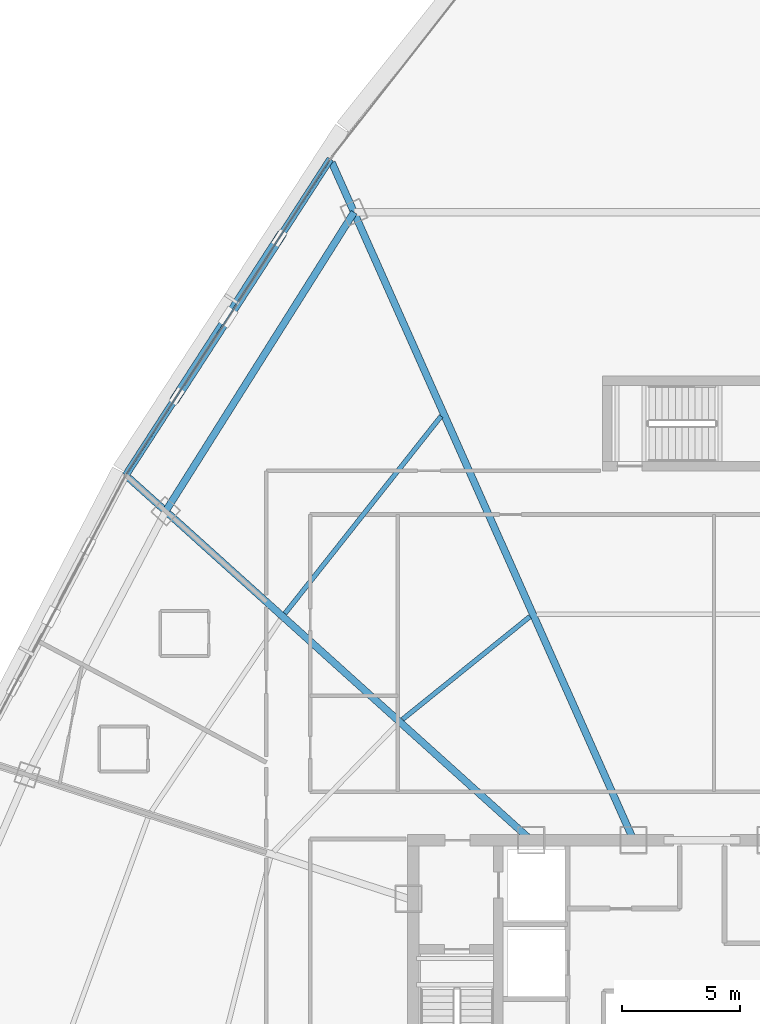
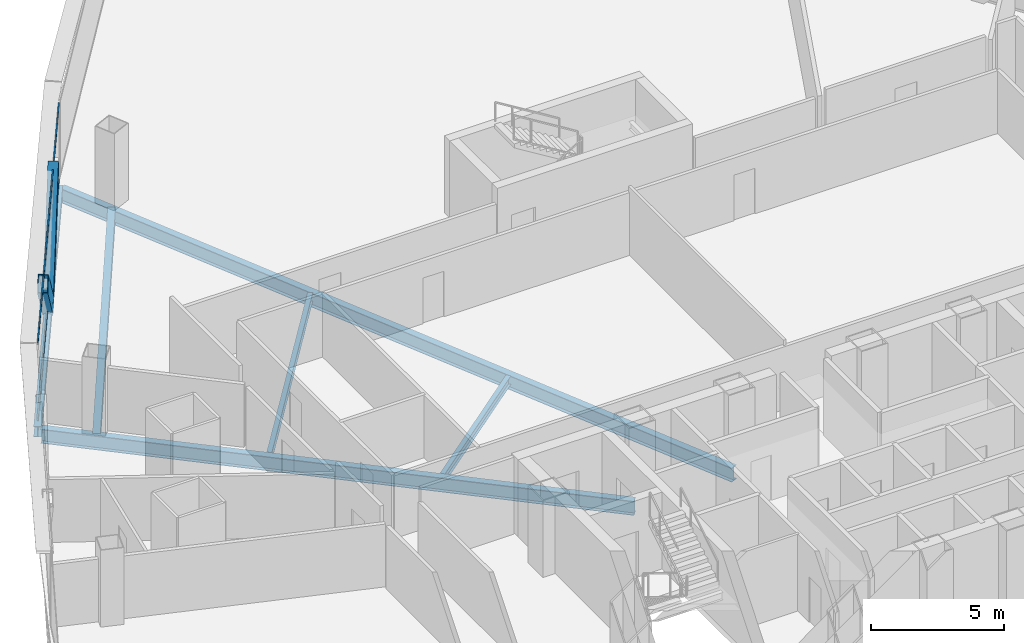
# One storey, part 17 of 40: 6 beams, 4 members, 1 element without a shape of its own.
"""IFC4 building model written with IfcOpenShell, lengths in metres."""

from ifc_helpers import new_model, si_unit, direction, frame, origin, origin_2d, place, context, subcontext, project, spatial, hollow_rectangle, i_section, extrude, source, transform, mapped, material, layer, layer_set, material_profile, profile_set, type_object, element, aggregate, save


model = new_model("IFC4")

# Units and contexts
model_context = context("Model", 3, precision=1e-05, world=origin(), true_north=direction((0.0, 1.0)))
body_context = subcontext(model_context, "Body", "Model", "MODEL_VIEW")
ifc_project = project(units=[si_unit("LENGTHUNIT", "METRE"), si_unit("AREAUNIT", "SQUARE_METRE"), si_unit("VOLUMEUNIT", "CUBIC_METRE"), si_unit("PLANEANGLEUNIT", "RADIAN"), si_unit("MASSUNIT", "GRAM", prefix="KILO"), si_unit("THERMODYNAMICTEMPERATUREUNIT", "KELVIN"), si_unit("POWERUNIT", "WATT")], contexts=[model_context])

# Site, building, storey
site_placement = place(None, origin())
site = spatial("IfcSite", under=ifc_project, at=site_placement, CompositionType="ELEMENT")
building_placement = place(site_placement, origin())
building = spatial("IfcBuilding", under=site, at=building_placement, Name="Yunzhuo Pagoda Commons", CompositionType="ELEMENT")
storey_placement = place(building_placement, frame((0.0, 0.0, 184.760009765625)))
storey = spatial("IfcBuildingStorey", under=building, at=storey_placement, Name="L46", CompositionType="ELEMENT", Elevation=184.760009765625)

# Beams
ifc_material_1 = material(Name="Structural steel Q355B", Category="steel")
ifc_material_profile_1 = material_profile(ifc_material_1, i_section(OverallWidth=0.300048828125, OverallDepth=0.488037109375, WebThickness=0.010986328125, FlangeThickness=0.01806640625, at=origin_2d()), Name="Structural steel Q355B")
ifc_profile_set_1 = profile_set([ifc_material_profile_1], Name="Structural steel Q355B")
beam_type_1 = type_object("IfcBeamType", Name="B-SP1 Beam HM 488x300x11x18", PredefinedType="BEAM", material=ifc_profile_set_1)
shared_shape_1 = source(origin(), body_context, "Body", "SweptSolid", [
    extrude(i_section(OverallWidth=0.300048828125, OverallDepth=0.488037109375, WebThickness=0.010986328125, FlangeThickness=0.01806640625, at=origin_2d()), origin(), (0.0, 0.0, 1.0), 15.899169921875),
])
beam_1_placement = place(storey_placement, frame((32.300537109375, 68.961181640625, -0.503662109375), z_axis=(-0.543169779139, -0.8396228862, 0.0), x_axis=(0.8396228862, -0.543169779139, 0.0)))
element("IfcBeam", 1, at=beam_1_placement, inside=storey, type_object=beam_type_1, Name="L46 facade edge spandrel beam F3.1", PredefinedType="BEAM", context=body_context, shape_type="MappedRepresentation", body=[
    mapped(shared_shape_1, transform((0.0, 0.0, 0.0), scale=1.0)),
])
ifc_material_profile_2 = material_profile(ifc_material_1, i_section(OverallWidth=0.300048828125, OverallDepth=0.64990234375, WebThickness=0.012939453125, FlangeThickness=0.02197265625, at=origin_2d()), Name="Structural steel Q355B")
ifc_profile_set_2 = profile_set([ifc_material_profile_2], Name="Structural steel Q355B")
beam_type_2 = type_object("IfcBeamType", Name="B-RG2 Beam HN 650x300x13x22", PredefinedType="BEAM", material=ifc_profile_set_2)
shared_shape_2 = source(origin(), body_context, "Body", "SweptSolid", [
    extrude(i_section(OverallWidth=0.300048828125, OverallDepth=0.64990234375, WebThickness=0.012939453125, FlangeThickness=0.02197265625, at=origin_2d()), origin(), (0.0, 0.0, 1.0), 14.916015625),
])
beam_2_placement = place(storey_placement, frame((33.301025390625, 66.714599609375, -0.5849609375), z_axis=(-0.533092374013, -0.846057043449, 0.0), x_axis=(0.846057043449, -0.533092374013, 0.0)))
element("IfcBeam", 2, at=beam_2_placement, inside=storey, type_object=beam_type_2, Name="L46 column-ring beam 9", PredefinedType="BEAM", context=body_context, shape_type="MappedRepresentation", body=[
    mapped(shared_shape_2, transform((0.0, 0.0, 0.0), scale=1.0)),
])
shared_shape_3 = source(origin(), body_context, "Body", "SweptSolid", [
    extrude(i_section(OverallWidth=0.300048828125, OverallDepth=0.64990234375, WebThickness=0.012939453125, FlangeThickness=0.02197265625, at=origin_2d()), origin(), (0.0, 0.0, 1.0), 22.87744140625),
])
beam_3_placement = place(storey_placement, frame((23.77978515625, 55.508056640625, -0.5849609375), z_axis=(0.743141834846, -0.669133927776, 0.0), x_axis=(0.669133927776, 0.743141834846, 0.0)))
element("IfcBeam", 3, at=beam_3_placement, inside=storey, type_object=beam_type_2, Name="L46 radial floor girder F3C2", PredefinedType="BEAM", context=body_context, shape_type="MappedRepresentation", body=[
    mapped(shared_shape_3, transform((0.0, 0.0, 0.0), scale=1.0)),
])
shared_shape_4 = source(origin(), body_context, "Body", "SweptSolid", [
    extrude(i_section(OverallWidth=0.300048828125, OverallDepth=0.64990234375, WebThickness=0.012939453125, FlangeThickness=0.02197265625, at=origin_2d()), origin(), (0.0, 0.0, 1.0), 31.327880859375),
])
beam_4_placement = place(storey_placement, frame((32.364013671875, 68.819580078125, -0.5849609375), z_axis=(0.406727681678, -0.913549447461, 0.0), x_axis=(0.913549447461, 0.406727681678, 0.0)))
element("IfcBeam", 4, at=beam_4_placement, inside=storey, type_object=beam_type_2, Name="L46 radial floor girder F3C1", PredefinedType="BEAM", context=body_context, shape_type="MappedRepresentation", body=[
    mapped(shared_shape_4, transform((0.0, 0.0, 0.0), scale=1.0)),
])
ifc_material_profile_3 = material_profile(ifc_material_1, i_section(OverallWidth=0.199951171875, OverallDepth=0.39990234375, WebThickness=0.008056640625, FlangeThickness=0.012939453125, at=origin_2d()), Name="Structural steel Q355B")
ifc_profile_set_3 = profile_set([ifc_material_profile_3], Name="Structural steel Q355B")
beam_type_3 = type_object("IfcBeamType", Name="B-JS1 Joist HN 400x200x8x13", PredefinedType="JOIST", material=ifc_profile_set_3)
shared_shape_5 = source(origin(), body_context, "Body", "SweptSolid", [
    extrude(i_section(OverallWidth=0.199951171875, OverallDepth=0.39990234375, WebThickness=0.008056640625, FlangeThickness=0.012939453125, at=origin_2d()), origin(), (0.0, 0.0, 1.0), 6.916748046875),
])
beam_5_placement = place(storey_placement, frame((40.732421875, 49.645263671875, -0.4599609375), z_axis=(-0.778265575865, -0.627935262127, 0.0), x_axis=(0.627935262127, -0.778265575865, 0.0)))
element("IfcBeam", 5, at=beam_5_placement, inside=storey, type_object=beam_type_3, Name="L46 composite ring joist 1.9", PredefinedType="JOIST", context=body_context, shape_type="MappedRepresentation", body=[
    mapped(shared_shape_5, transform((0.0, 0.0, 0.0), scale=1.0)),
])
shared_shape_6 = source(origin(), body_context, "Body", "SweptSolid", [
    extrude(i_section(OverallWidth=0.199951171875, OverallDepth=0.39990234375, WebThickness=0.008056640625, FlangeThickness=0.012939453125, at=origin_2d()), origin(), (0.0, 0.0, 1.0), 10.625732421875),
])
beam_6_placement = place(storey_placement, frame((36.980224609375, 58.105224609375, -0.4599609375), z_axis=(-0.620589944532, -0.784135269418, 0.0), x_axis=(0.784135269418, -0.620589944532, 0.0)))
element("IfcBeam", 6, at=beam_6_placement, inside=storey, type_object=beam_type_3, Name="L46 composite ring joist 2.9", PredefinedType="JOIST", context=body_context, shape_type="MappedRepresentation", body=[
    mapped(shared_shape_6, transform((0.0, 0.0, 0.0), scale=1.0)),
])

# Members
ifc_material_profile_4 = material_profile(ifc_material_1, hollow_rectangle(XDim=0.39990234375, YDim=0.719970703125, WallThickness=0.02392578125, at=origin_2d()), Name="Structural steel Q355B")
ifc_profile_set_4 = profile_set([ifc_material_profile_4], Name="Structural steel Q355B")
member_type_1 = type_object("IfcMemberType", Name="M-DL2 Brace BOX 720x400x24", PredefinedType="BRACE", material=ifc_profile_set_4)
shared_shape_7 = source(origin(), body_context, "Body", "SweptSolid", [
    extrude(hollow_rectangle(XDim=0.39990234375, YDim=0.719970703125, WallThickness=0.02392578125, at=origin_2d()), origin(), (0.0, 0.0, 1.0), 5.499267578125),
])
member_1_placement = place(storey_placement, frame((27.982666015625, 62.28662109375, -0.260009765625), z_axis=(-0.392638599745, -0.606893900783, 0.691024401293), x_axis=(0.839606407848, -0.543195250256, 0.0)))
element("IfcMember", 7, at=member_1_placement, inside=storey, type_object=member_type_1, Name="L46 facade diamond brace F3.1R", PredefinedType="BRACE", context=body_context, shape_type="MappedRepresentation", body=[
    mapped(shared_shape_7, transform((0.0, 0.0, 0.0), scale=1.0)),
])
shared_shape_8 = source(origin(), body_context, "Body", "SweptSolid", [
    extrude(hollow_rectangle(XDim=0.39990234375, YDim=0.719970703125, WallThickness=0.02392578125, at=origin_2d()), origin(), (0.0, 0.0, 1.0), 5.4990234375),
])
member_2_placement = place(storey_placement, frame((27.982666015625, 62.28662109375, -0.260009765625), z_axis=(0.392611625569, 0.606876434458, 0.691055066379), x_axis=(-0.839616297671, 0.543179963443, 0.0)))
element("IfcMember", 8, at=member_2_placement, inside=storey, type_object=member_type_1, Name="L46 facade diamond brace F3.1L", PredefinedType="BRACE", context=body_context, shape_type="MappedRepresentation", body=[
    mapped(shared_shape_8, transform((0.0, 0.0, 0.0), scale=1.0)),
])

# Curtain wall, members
ifc_material_2 = material(Name="Anodized aluminium 6063-T6", Category="aluminium")
ifc_layer = layer(ifc_material_2, 0.14990234375)
ifc_layer_set = layer_set([ifc_layer], Name="Anodized aluminium 6063-T6")
curtain_wall_type = type_object("IfcCurtainWallType", Name="CW-MID Mid-Zone Ribbon Curtain Wall", PredefinedType="NOTDEFINED", material=ifc_layer_set)
curtain_wall_placement = place(storey_placement, origin())
curtain_wall = element("IfcCurtainWall", 9, at=curtain_wall_placement, inside=storey, type_object=curtain_wall_type, Name="L46 curtain wall CW-L46-F3B2", PredefinedType="NOTDEFINED")
ifc_material_profile_5 = material_profile(ifc_material_2, hollow_rectangle(XDim=0.054931640625, YDim=0.1298828125, WallThickness=0.00341796875, at=origin_2d()), Name="Anodized aluminium 6063-T6")
ifc_profile_set_5 = profile_set([ifc_material_profile_5], Name="Anodized aluminium 6063-T6")
member_type_2 = type_object("IfcMemberType", Name="CW-MID-T Transom RHS 130x55x3.5", PredefinedType="USERDEFINED", material=ifc_profile_set_5)
shared_shape_9 = source(origin(), body_context, "Body", "SweptSolid", [
    extrude(hollow_rectangle(XDim=0.054931640625, YDim=0.1298828125, WallThickness=0.00341796875, at=origin_2d()), origin(), (0.0, 0.0, 1.0), 15.779296875),
])
member_3_placement = place(storey_placement, frame((32.26806640625, 68.910888671875, 0.027587890625), z_axis=(-0.543164669064, -0.839626191993, 0.0), x_axis=(0.839626191993, -0.543164669064, 0.0)))
member_3 = element("IfcMember", 10, at=member_3_placement, type_object=member_type_2, Name="CW transom 1.1", ObjectType="TRANSOM", PredefinedType="USERDEFINED", context=body_context, shape_type="MappedRepresentation", body=[
    mapped(shared_shape_9, transform((0.0, 0.0, 0.0), scale=1.0)),
])
member_4_placement = place(storey_placement, frame((32.26806640625, 68.910888671875, 3.512451171875), z_axis=(-0.543164669064, -0.839626191993, 0.0), x_axis=(0.839626191993, -0.543164669064, 0.0)))
member_4 = element("IfcMember", 11, at=member_4_placement, type_object=member_type_2, Name="CW transom 1.2", ObjectType="TRANSOM", PredefinedType="USERDEFINED", context=body_context, shape_type="MappedRepresentation", body=[
    mapped(shared_shape_9, transform((0.0, 0.0, 0.0), scale=1.0)),
])
aggregate(curtain_wall, [member_3, member_4])

save(model, "model.ifc")
